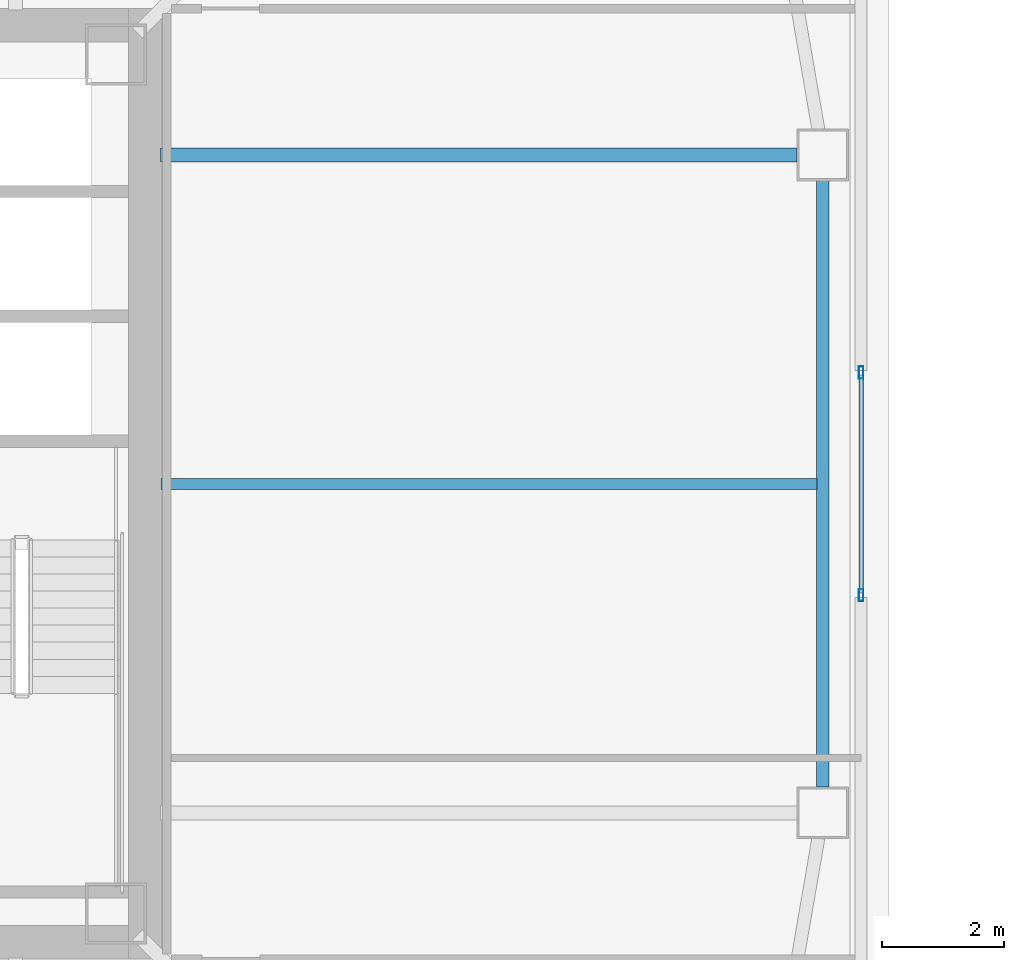
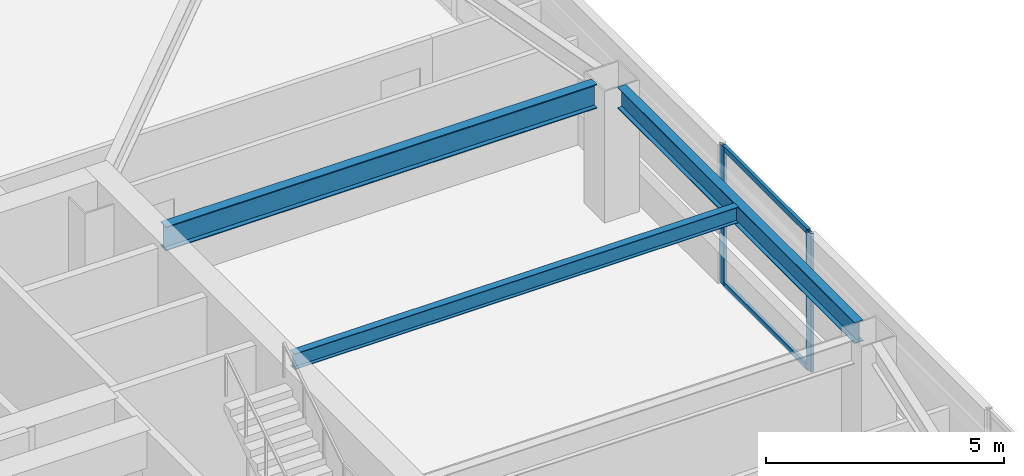
# One storey, part 10 of 44: 4 members, 3 beams, 1 element without a shape of its own.
"""IFC4 building model written with IfcOpenShell, lengths in metres."""

from ifc_helpers import new_model, si_unit, direction, frame, origin, origin_2d, place, context, subcontext, project, spatial, hollow_rectangle, i_section, extrude, material, material_profile, profile_set, type_object, element, aggregate, save


model = new_model("IFC4")

# Units and contexts
model_context = context("Model", 3, precision=1e-05, world=origin(), true_north=direction((0.0, 1.0)))
body_context = subcontext(model_context, "Body", "Model", "MODEL_VIEW")
ifc_project = project(units=[si_unit("LENGTHUNIT", "METRE"), si_unit("AREAUNIT", "SQUARE_METRE"), si_unit("VOLUMEUNIT", "CUBIC_METRE"), si_unit("PLANEANGLEUNIT", "RADIAN"), si_unit("MASSUNIT", "GRAM", prefix="KILO")], contexts=[model_context])

# Site, building, storey
site_placement = place(None, origin())
site = spatial("IfcSite", under=ifc_project, at=site_placement, CompositionType="ELEMENT")
building_placement = place(site_placement, origin())
building = spatial("IfcBuilding", under=site, at=building_placement, Name="Tashvorn Skyway Center", CompositionType="ELEMENT")
storey_placement = place(building_placement, frame((0.0, 0.0, 128.60009765625)))
storey = spatial("IfcBuildingStorey", under=building, at=storey_placement, Name="L34", CompositionType="ELEMENT", Elevation=128.60009765625)

# Beams
ifc_material_1 = material(Name="Steel ASTM A992 Grade 50", Category="steel")
ifc_material_profile_1 = material_profile(ifc_material_1, i_section(OverallWidth=0.22998046875, OverallDepth=0.616943359375, WebThickness=0.01318359375, FlangeThickness=0.022216796875, at=origin_2d()), Name="W24X94")
ifc_profile_set_1 = profile_set([ifc_material_profile_1], Name="Steel ASTM A992 Grade 50")
beam_type_1 = type_object("IfcBeamType", Name="BM-BEAM-W24X94", PredefinedType="BEAM", material=ifc_profile_set_1)
beam_1_placement = place(storey_placement, frame((60.22998046875, 37.39990234375, 3.0615234375), z_axis=(-1.0, 0.0, 0.0), x_axis=(0.0, -1.0, 0.0)))
element("IfcBeam", 1, at=beam_1_placement, inside=storey, type_object=beam_type_1, Name="Tower 1 L34 Primary Floor Girder FC-E2", PredefinedType="BEAM", context=body_context, shape_type="SweptSolid", body=[
    extrude(i_section(OverallWidth=0.22998046875, OverallDepth=0.616943359375, WebThickness=0.01318359375, FlangeThickness=0.022216796875, at=origin_2d()), origin(), (0.0, 0.0, 1.0), 10.449951171875),
])
ifc_material_profile_2 = material_profile(ifc_material_1, i_section(OverallWidth=0.177978515625, OverallDepth=0.406005859375, WebThickness=0.0078125, FlangeThickness=0.0126953125, at=origin_2d()), Name="W16X40")
ifc_profile_set_2 = profile_set([ifc_material_profile_2], Name="Steel ASTM A992 Grade 50")
beam_type_2 = type_object("IfcBeamType", Name="BM-JOIST-W16X40", PredefinedType="JOIST", material=ifc_profile_set_2)
beam_2_placement = place(storey_placement, frame((49.7900390625, 32.0, 3.1669921875), z_axis=(1.0, 0.0, 0.0), x_axis=(0.0, 1.0, 0.0)))
element("IfcBeam", 2, at=beam_2_placement, inside=storey, type_object=beam_type_2, Name="Tower 1 L34 Secondary Composite Joist JE", PredefinedType="JOIST", context=body_context, shape_type="SweptSolid", body=[
    extrude(i_section(OverallWidth=0.177978515625, OverallDepth=0.406005859375, WebThickness=0.0078125, FlangeThickness=0.0126953125, at=origin_2d()), origin(), (0.0, 0.0, 1.0), 10.762451171875),
])
ifc_material_profile_3 = material_profile(ifc_material_1, i_section(OverallWidth=0.2109375, OverallDepth=0.5390625, WebThickness=0.01171875, FlangeThickness=0.018798828125, at=origin_2d()), Name="W21X73")
ifc_profile_set_3 = profile_set([ifc_material_profile_3], Name="Steel ASTM A992 Grade 50")
beam_type_3 = type_object("IfcBeamType", Name="BM-SPANDREL-W21X73", PredefinedType="SPANDREL", material=ifc_profile_set_3)
beam_3_placement = place(storey_placement, frame((60.64990234375, 27.02001953125, 3.100341796875), z_axis=(0.0, 1.0, 0.0), x_axis=(-1.0, 0.0, 0.0)))
element("IfcBeam", 3, at=beam_3_placement, inside=storey, type_object=beam_type_3, Name="Tower 1 L34 Spandrel Beam 05", PredefinedType="SPANDREL", context=body_context, shape_type="SweptSolid", body=[
    extrude(i_section(OverallWidth=0.2109375, OverallDepth=0.5390625, WebThickness=0.01171875, FlangeThickness=0.018798828125, at=origin_2d()), origin(), (0.0, 0.0, 1.0), 9.9599609375),
])

# Curtain wall, members
ifc_material_2 = material(Name="Thermally broken bronze-anodized aluminium 6063-T6", Category="aluminium")
curtain_wall_type = type_object("IfcCurtainWallType", Name="CW-CW-Z3", PredefinedType="NOTDEFINED", material=ifc_material_2)
curtain_wall_placement = place(storey_placement, origin())
curtain_wall = element("IfcCurtainWall", 4, at=curtain_wall_placement, inside=storey, type_object=curtain_wall_type, Name="Tower 1 L34 East Unitised Curtain Wall Glazing Group 2", PredefinedType="NOTDEFINED")
ifc_material_profile_4 = material_profile(ifc_material_2, hollow_rectangle(XDim=0.074951171875, YDim=0.199951171875, WallThickness=0.00439453125, at=origin_2d()), Name="ALU-MULL-75x200")
ifc_profile_set_4 = profile_set([ifc_material_profile_4], Name="Thermally broken bronze-anodized aluminium 6063-T6")
member_type_1 = type_object("IfcMemberType", Name="CWM-CW-Z3", PredefinedType="MULLION", material=ifc_profile_set_4)
member_1_placement = place(storey_placement, frame((61.280029296875, 33.826904296875, 0.0), z_axis=(0.0, 0.0, 1.0), x_axis=(1.0, 0.0, 0.0)))
member_1 = element("IfcMember", 5, at=member_1_placement, type_object=member_type_1, Name="CW-Z3 mullion 1", PredefinedType="MULLION", context=body_context, shape_type="SweptSolid", body=[
    extrude(hollow_rectangle(XDim=0.074951171875, YDim=0.199951171875, WallThickness=0.00439453125, at=origin_2d()), origin(), (0.0, 0.0, 1.0), 3.5498046875),
])
member_2_placement = place(storey_placement, frame((61.280029296875, 30.173095703125, 0.0), z_axis=(0.0, 0.0, 1.0), x_axis=(1.0, 0.0, 0.0)))
member_2 = element("IfcMember", 6, at=member_2_placement, type_object=member_type_1, Name="CW-Z3 mullion 2", PredefinedType="MULLION", context=body_context, shape_type="SweptSolid", body=[
    extrude(hollow_rectangle(XDim=0.074951171875, YDim=0.199951171875, WallThickness=0.00439453125, at=origin_2d()), origin(), (0.0, 0.0, 1.0), 3.5498046875),
])
ifc_material_profile_5 = material_profile(ifc_material_2, hollow_rectangle(XDim=0.074951171875, YDim=0.139892578125, WallThickness=0.004150390625, at=origin_2d()), Name="ALU-TRAN-75x140")
ifc_profile_set_5 = profile_set([ifc_material_profile_5], Name="Thermally broken bronze-anodized aluminium 6063-T6")
member_type_2 = type_object("IfcMemberType", Name="CWT-CW-Z3", PredefinedType="USERDEFINED", material=ifc_profile_set_5)
member_3_placement = place(storey_placement, frame((61.280029296875, 33.789306640625, 0.037353515625), z_axis=(0.0, -1.0, 0.0), x_axis=(1.0, 0.0, 0.0)))
member_3 = element("IfcMember", 7, at=member_3_placement, type_object=member_type_2, Name="CW-Z3 transom 1.1", ObjectType="TRANSOM", PredefinedType="USERDEFINED", context=body_context, shape_type="SweptSolid", body=[
    extrude(hollow_rectangle(XDim=0.074951171875, YDim=0.139892578125, WallThickness=0.004150390625, at=origin_2d()), origin(), (0.0, 0.0, 1.0), 3.57861328125),
])
member_4_placement = place(storey_placement, frame((61.280029296875, 33.789306640625, 3.512451171875), z_axis=(0.0, -1.0, 0.0), x_axis=(1.0, 0.0, 0.0)))
member_4 = element("IfcMember", 8, at=member_4_placement, type_object=member_type_2, Name="CW-Z3 transom 1.2", ObjectType="TRANSOM", PredefinedType="USERDEFINED", context=body_context, shape_type="SweptSolid", body=[
    extrude(hollow_rectangle(XDim=0.074951171875, YDim=0.139892578125, WallThickness=0.004150390625, at=origin_2d()), origin(), (0.0, 0.0, 1.0), 3.57861328125),
])
aggregate(curtain_wall, [member_1, member_2, member_3, member_4])

save(model, "model.ifc")
